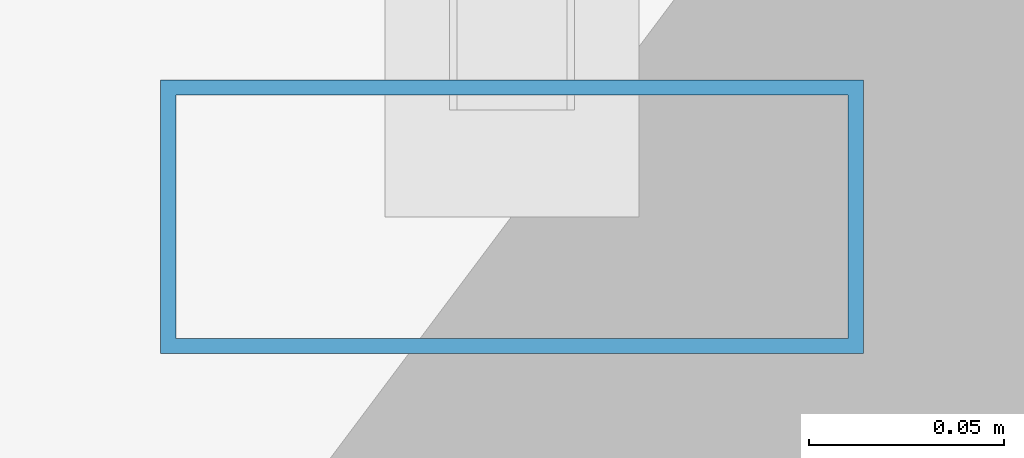
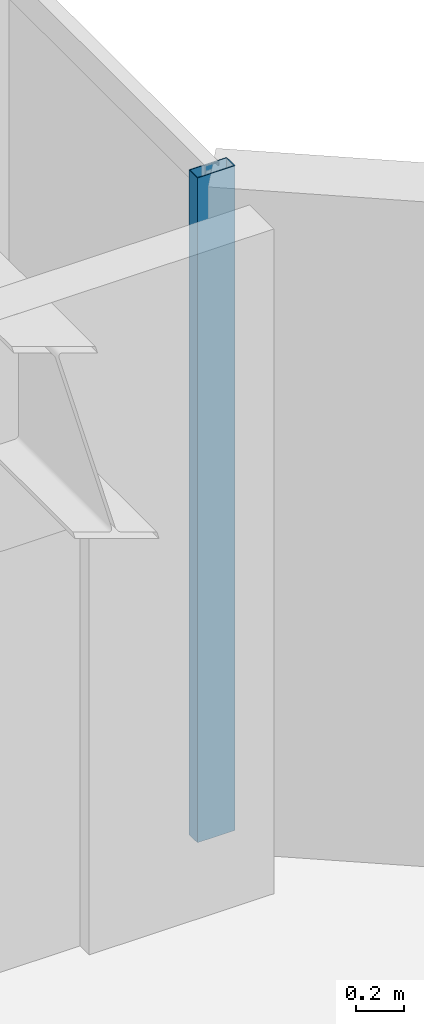
# One storey, part 15 of 27: 1 member, 1 element without a shape of its own.
"""IFC4 building model written with IfcOpenShell, lengths in metres."""

import ifcopenshell
import ifcopenshell.guid

model = None  # the IFC model being written
_history = None  # IfcOwnerHistory: only IFC2X3 demands one
_inside = {}  # id of a spatial element -> (the spatial element, [elements in it])
_under = {}  # id of a project, library or spatial element -> (it, [spatial elements below it])
_declared = {}  # id of a project -> (the project, [libraries it declares])
_typed = {}  # id of a type object -> (the type object, [elements of that type])
_made_of = {}  # id of a material, layer set ... -> (it, [elements and type objects made of it])


def new_model(schema):
    """Start an empty IFC model of exactly this schema.

    Asked for "IFC4X3", IfcOpenShell would pick the latest addendum, in which some entities
    have other attributes; the version numbers below select the first issue.
    IFC2X3 requires an IfcOwnerHistory on every rooted entity: one is made here for all.
    """
    global model, _history
    if schema == "IFC4X3":
        model = ifcopenshell.file(schema_version=(4, 3, 0, 0))
    else:
        model = ifcopenshell.file(schema=schema)
    _inside.clear()
    _under.clear()
    _declared.clear()
    _typed.clear()
    _made_of.clear()
    _history = None
    if model.schema == "IFC2X3":
        org = make("IfcOrganization", Name="unknown")
        user = make(
            "IfcPersonAndOrganization",
            ThePerson=make("IfcPerson", FamilyName="unknown"),
            TheOrganization=org,
        )
        app = make(
            "IfcApplication",
            ApplicationDeveloper=org,
            Version="unknown",
            ApplicationFullName="unknown",
            ApplicationIdentifier="unknown",
        )
        _history = make(
            "IfcOwnerHistory",
            OwningUser=user,
            OwningApplication=app,
            ChangeAction="ADDED",
            CreationDate=0,
        )
    return model


def make(cls, **values):
    """One entity of the class cls with the attributes given. An attribute that is None is left unset."""
    return model.create_entity(
        cls, **{name: value for name, value in values.items() if value is not None}
    )


def rooted(cls, **values):
    """An entity with a GlobalId (a new one), such as an element, a storey or a relation."""
    return make(cls, GlobalId=ifcopenshell.guid.new(), OwnerHistory=_history, **values)


def si_unit(unit_type, name, prefix=None):
    """IfcSIUnit, for example si_unit("LENGTHUNIT", "METRE", prefix="MILLI")."""
    return make("IfcSIUnit", UnitType=unit_type, Prefix=prefix, Name=name)


def assignment(units):
    """IfcUnitAssignment: the units of a project."""
    return None if units is None else make("IfcUnitAssignment", Units=units)


def point(xyz):
    """IfcCartesianPoint."""
    return None if xyz is None else make("IfcCartesianPoint", Coordinates=xyz)


def direction(xyz):
    """IfcDirection."""
    return None if xyz is None else make("IfcDirection", DirectionRatios=xyz)


def frame(location, z_axis=None, x_axis=None):
    """IfcAxis2Placement3D, a coordinate frame: its origin and axes. An axis left out is left unset."""
    return make(
        "IfcAxis2Placement3D",
        Location=point(location),
        Axis=direction(z_axis),
        RefDirection=direction(x_axis),
    )


def frame_2d(location, x_axis=None):
    """IfcAxis2Placement2D, a coordinate frame in the plane: its origin and x axis."""
    return make(
        "IfcAxis2Placement2D", Location=point(location), RefDirection=direction(x_axis)
    )


def origin():
    """The frame at (0, 0, 0) with its axes left unset."""
    return frame((0.0, 0.0, 0.0))


def origin_2d():
    """The frame at (0, 0) in the plane with its x axis left unset."""
    return frame_2d((0.0, 0.0))


def place(relative_to, where):
    """IfcLocalPlacement: puts the frame where relative to a parent placement (None: the world)."""
    return make(
        "IfcLocalPlacement", PlacementRelTo=relative_to, RelativePlacement=where
    )


def context(
    kind, dimensions, precision=None, world=None, true_north=None, identifier=None
):
    """IfcGeometricRepresentationContext, for example the 3D "Model" context."""
    return make(
        "IfcGeometricRepresentationContext",
        ContextIdentifier=identifier,
        ContextType=kind,
        CoordinateSpaceDimension=dimensions,
        Precision=precision,
        WorldCoordinateSystem=world,
        TrueNorth=true_north,
    )


def subcontext(parent, identifier, kind, view, scale=None):
    """IfcGeometricRepresentationSubContext, for example "Body" below "Model"."""
    return make(
        "IfcGeometricRepresentationSubContext",
        ContextIdentifier=identifier,
        ContextType=kind,
        ParentContext=parent,
        TargetScale=scale,
        TargetView=view,
    )


def project(units=None, contexts=None):
    """IfcProject with its units and contexts."""
    return rooted(
        "IfcProject",
        Name="project",
        RepresentationContexts=contexts,
        UnitsInContext=assignment(units),
    )


def spatial(cls, under=None, at=None, **own):
    """A site, building, storey or space (cls), placed at a placement, below another one or the project."""
    s = rooted(cls, ObjectPlacement=at, **own)
    if under is not None:
        _under.setdefault(under.id(), (under, []))[1].append(s)
    return s


def profile(cls, at=None, kind="AREA", **sizes):
    """A parametric profile (cls). Its sizes go by their IFC names, for example OverallWidth=200.0."""
    return make(cls, ProfileType=kind, Position=at, **sizes)


def hollow_rectangle(**sizes):
    """IfcRectangleHollowProfileDef."""
    return profile("IfcRectangleHollowProfileDef", **sizes)


def extrude(swept, where, along, depth):
    """IfcExtrudedAreaSolid: the profile swept, set in the frame where, extruded along a direction by depth."""
    return make(
        "IfcExtrudedAreaSolid",
        SweptArea=swept,
        Position=where,
        ExtrudedDirection=direction(along),
        Depth=depth,
    )


def shape(context_of_items, identifier, shape_type, items):
    """IfcShapeRepresentation: the items that make up one representation, for example the "Body"."""
    return make(
        "IfcShapeRepresentation",
        ContextOfItems=context_of_items,
        RepresentationIdentifier=identifier,
        RepresentationType=shape_type,
        Items=items,
    )


def material(Name=None, Category=None):
    """IfcMaterial."""
    return make("IfcMaterial", Name=Name, Category=Category)


def layer(
    of_material, thickness, ventilated=None, Name=None, Category=None, Priority=None
):
    """IfcMaterialLayer: one layer of a wall or slab, of a material (None: an air gap)."""
    return make(
        "IfcMaterialLayer",
        Material=of_material,
        LayerThickness=thickness,
        IsVentilated=ventilated,
        Name=Name,
        Category=Category,
        Priority=Priority,
    )


def layer_set(layers, Name=None):
    """IfcMaterialLayerSet."""
    return make("IfcMaterialLayerSet", MaterialLayers=layers, LayerSetName=Name)


def material_profile(
    of_material, cross_section, Name=None, Category=None, Priority=None
):
    """IfcMaterialProfile: a cross section and its material."""
    return make(
        "IfcMaterialProfile",
        Name=Name,
        Material=of_material,
        Profile=cross_section,
        Priority=Priority,
        Category=Category,
    )


def profile_set(profiles, Name=None, composite=None):
    """IfcMaterialProfileSet."""
    return make(
        "IfcMaterialProfileSet",
        Name=Name,
        MaterialProfiles=profiles,
        CompositeProfile=composite,
    )


def made_of(thing, what):
    """Note that an element or type object is made of a material, layer set ...; save() writes the relation."""
    if what is not None:
        _made_of.setdefault(what.id(), (what, []))[1].append(thing)
    return thing


def type_object(cls, material=None, **own):
    """A type object (cls), such as IfcWallType, which elements share."""
    return made_of(rooted(cls, **own), material)


def element(
    cls,
    number,
    at=None,
    inside=None,
    cuts=None,
    type_object=None,
    material=None,
    context=None,
    identifier="Body",
    shape_type=None,
    held_by="IfcProductDefinitionShape",
    body=None,
    shapes=None,
    **own,
):
    """One element of the class cls, such as IfcWall. Its Tag is "e" and its number.

    at: its placement. inside: the storey or other place that contains it. cuts: it is an
    opening in that element (IfcRelVoidsElement). A single representation is given by context,
    identifier, shape_type and body (its items); several are given by shapes. held_by: the class
    of the entity that holds the representations. save() writes the other relations.
    """
    e = rooted(cls, Tag="e%d" % number, ObjectPlacement=at, **own)
    if body is not None:
        shapes = [shape(context, identifier, shape_type, body)]
    if shapes is not None:
        e.Representation = make(held_by, Representations=shapes)
    if inside is not None:
        _inside.setdefault(inside.id(), (inside, []))[1].append(e)
    if cuts is not None:
        rooted(
            "IfcRelVoidsElement", RelatingBuildingElement=cuts, RelatedOpeningElement=e
        )
    if type_object is not None:
        _typed.setdefault(type_object.id(), (type_object, []))[1].append(e)
    return made_of(e, material)


def aggregate(whole, parts):
    """IfcRelAggregates: a whole, such as a stair, and the parts it consists of."""
    return rooted("IfcRelAggregates", RelatingObject=whole, RelatedObjects=parts)


def save(model, path):
    """Write the relations noted so far, then the file.

    IfcRelAggregates (storeys below a building ...), IfcRelContainedInSpatialStructure (elements
    in a storey), IfcRelDefinesByType, IfcRelAssociatesMaterial and IfcRelDeclares: one each for
    every whole, place, type object, material and project.
    """
    for whole, parts in _under.values():
        aggregate(whole, parts)
    for where, things in _inside.values():
        rooted(
            "IfcRelContainedInSpatialStructure",
            RelatedElements=things,
            RelatingStructure=where,
        )
    for kind, things in _typed.values():
        rooted("IfcRelDefinesByType", RelatedObjects=things, RelatingType=kind)
    for what, things in _made_of.values():
        rooted("IfcRelAssociatesMaterial", RelatedObjects=things, RelatingMaterial=what)
    for by, libraries in _declared.values():
        rooted("IfcRelDeclares", RelatingContext=by, RelatedDefinitions=libraries)
    model.write(path)


model = new_model("IFC4")

# Units and contexts
model_context = context("Model", 3, precision=1e-05, world=origin(), true_north=direction((0.0, 1.0)))
body_context = subcontext(model_context, "Body", "Model", "MODEL_VIEW")
ifc_project = project(units=[si_unit("LENGTHUNIT", "METRE"), si_unit("AREAUNIT", "SQUARE_METRE"), si_unit("VOLUMEUNIT", "CUBIC_METRE"), si_unit("PLANEANGLEUNIT", "RADIAN"), si_unit("MASSUNIT", "GRAM", prefix="KILO")], contexts=[model_context])

# Site, building, storey
site_placement = place(None, origin())
site = spatial("IfcSite", under=ifc_project, at=site_placement, CompositionType="ELEMENT")
building_placement = place(site_placement, origin())
building = spatial("IfcBuilding", under=site, at=building_placement, Name="Hatsunagi Terrace Concourse", CompositionType="ELEMENT")
storey_placement = place(building_placement, frame((0.0, 0.0, 142.050048828125)))
storey = spatial("IfcBuildingStorey", under=building, at=storey_placement, Name="L37", CompositionType="ELEMENT", Elevation=142.050048828125)

# Curtain wall, member
ifc_material_1 = material(Name="Anodised Aluminium Alloy 6063-T5", Category="aluminium")
ifc_layer = layer(ifc_material_1, 0.199951171875)
ifc_layer_set = layer_set([ifc_layer], Name="OfficeZone1_CW03")
curtain_wall_type = type_object("IfcCurtainWallType", Name="OfficeZone1_CW03", PredefinedType="NOTDEFINED", material=ifc_layer_set)
curtain_wall_placement = place(storey_placement, origin())
curtain_wall = element("IfcCurtainWall", 1, at=curtain_wall_placement, inside=storey, type_object=curtain_wall_type, Name="Unitised Curtain Wall CW-03 CW-L37-13", PredefinedType="NOTDEFINED")
ifc_material_2 = material(Name="Anodised Aluminium Alloy 6063-T5", Category="aluminium")
ifc_material_profile = material_profile(ifc_material_2, hollow_rectangle(XDim=0.070068359375, YDim=0.179931640625, WallThickness=0.00390625, at=origin_2d()), Name="ALU-MUL-180x70x4")
ifc_profile_set = profile_set([ifc_material_profile], Name="Anodised Aluminium Alloy 6063-T5")
member_type = type_object("IfcMemberType", Name="CurtainWallMullion_180x70", PredefinedType="MULLION", material=ifc_profile_set)
member_placement = place(storey_placement, frame((44.860107421875, 40.72998046875, 0.0), z_axis=(0.0, 0.0, 1.0), x_axis=(0.0, -1.0, 0.0)))
member = element("IfcMember", 2, at=member_placement, type_object=member_type, Name="Curtain Wall Mullion MUL-02", PredefinedType="MULLION", context=body_context, shape_type="SweptSolid", body=[
    extrude(hollow_rectangle(XDim=0.070068359375, YDim=0.179931640625, WallThickness=0.00390625, at=origin_2d()), origin(), (0.0, 0.0, 1.0), 3.349853515625),
])
aggregate(curtain_wall, [member])

save(model, "model.ifc")
